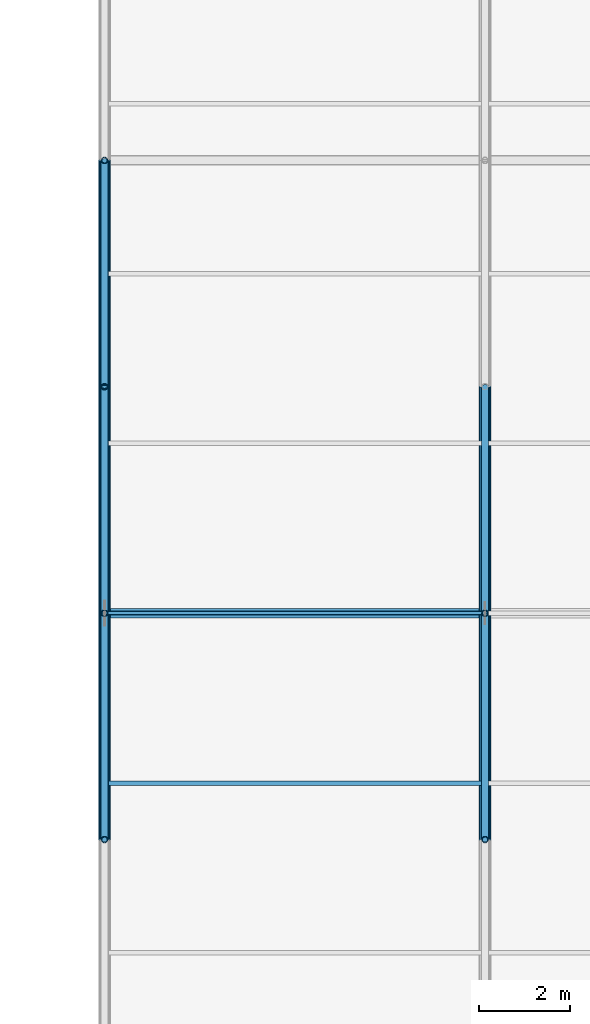
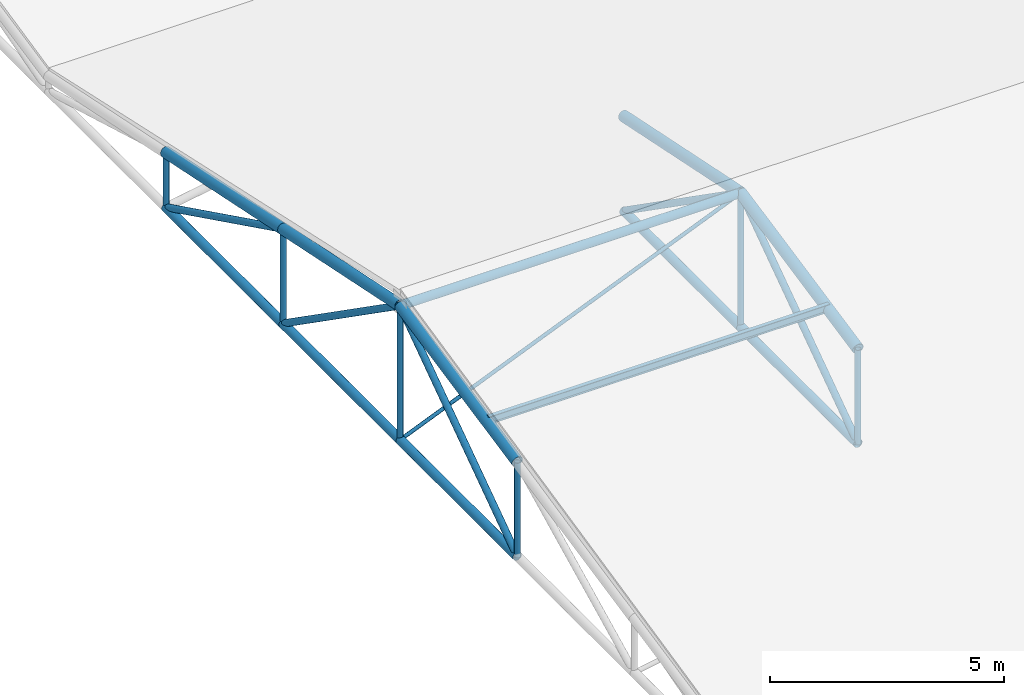
# One storey, part 6 of 194: 23 members, 1 beam.
"""IFC4 building model written with IfcOpenShell, lengths in metres."""

import ifcopenshell
import ifcopenshell.guid

model = None  # the IFC model being written
_history = None  # IfcOwnerHistory: only IFC2X3 demands one
_inside = {}  # id of a spatial element -> (the spatial element, [elements in it])
_under = {}  # id of a project, library or spatial element -> (it, [spatial elements below it])
_declared = {}  # id of a project -> (the project, [libraries it declares])
_typed = {}  # id of a type object -> (the type object, [elements of that type])
_made_of = {}  # id of a material, layer set ... -> (it, [elements and type objects made of it])


def new_model(schema):
    """Start an empty IFC model of exactly this schema.

    Asked for "IFC4X3", IfcOpenShell would pick the latest addendum, in which some entities
    have other attributes; the version numbers below select the first issue.
    IFC2X3 requires an IfcOwnerHistory on every rooted entity: one is made here for all.
    """
    global model, _history
    if schema == "IFC4X3":
        model = ifcopenshell.file(schema_version=(4, 3, 0, 0))
    else:
        model = ifcopenshell.file(schema=schema)
    _inside.clear()
    _under.clear()
    _declared.clear()
    _typed.clear()
    _made_of.clear()
    _history = None
    if model.schema == "IFC2X3":
        org = make("IfcOrganization", Name="unknown")
        user = make(
            "IfcPersonAndOrganization",
            ThePerson=make("IfcPerson", FamilyName="unknown"),
            TheOrganization=org,
        )
        app = make(
            "IfcApplication",
            ApplicationDeveloper=org,
            Version="unknown",
            ApplicationFullName="unknown",
            ApplicationIdentifier="unknown",
        )
        _history = make(
            "IfcOwnerHistory",
            OwningUser=user,
            OwningApplication=app,
            ChangeAction="ADDED",
            CreationDate=0,
        )
    return model


def make(cls, **values):
    """One entity of the class cls with the attributes given. An attribute that is None is left unset."""
    return model.create_entity(
        cls, **{name: value for name, value in values.items() if value is not None}
    )


def rooted(cls, **values):
    """An entity with a GlobalId (a new one), such as an element, a storey or a relation."""
    return make(cls, GlobalId=ifcopenshell.guid.new(), OwnerHistory=_history, **values)


def si_unit(unit_type, name, prefix=None):
    """IfcSIUnit, for example si_unit("LENGTHUNIT", "METRE", prefix="MILLI")."""
    return make("IfcSIUnit", UnitType=unit_type, Prefix=prefix, Name=name)


def assignment(units):
    """IfcUnitAssignment: the units of a project."""
    return None if units is None else make("IfcUnitAssignment", Units=units)


def point(xyz):
    """IfcCartesianPoint."""
    return None if xyz is None else make("IfcCartesianPoint", Coordinates=xyz)


def direction(xyz):
    """IfcDirection."""
    return None if xyz is None else make("IfcDirection", DirectionRatios=xyz)


def frame(location, z_axis=None, x_axis=None):
    """IfcAxis2Placement3D, a coordinate frame: its origin and axes. An axis left out is left unset."""
    return make(
        "IfcAxis2Placement3D",
        Location=point(location),
        Axis=direction(z_axis),
        RefDirection=direction(x_axis),
    )


def frame_2d(location, x_axis=None):
    """IfcAxis2Placement2D, a coordinate frame in the plane: its origin and x axis."""
    return make(
        "IfcAxis2Placement2D", Location=point(location), RefDirection=direction(x_axis)
    )


def origin():
    """The frame at (0, 0, 0) with its axes left unset."""
    return frame((0.0, 0.0, 0.0))


def origin_2d():
    """The frame at (0, 0) in the plane with its x axis left unset."""
    return frame_2d((0.0, 0.0))


def place(relative_to, where):
    """IfcLocalPlacement: puts the frame where relative to a parent placement (None: the world)."""
    return make(
        "IfcLocalPlacement", PlacementRelTo=relative_to, RelativePlacement=where
    )


def context(
    kind, dimensions, precision=None, world=None, true_north=None, identifier=None
):
    """IfcGeometricRepresentationContext, for example the 3D "Model" context."""
    return make(
        "IfcGeometricRepresentationContext",
        ContextIdentifier=identifier,
        ContextType=kind,
        CoordinateSpaceDimension=dimensions,
        Precision=precision,
        WorldCoordinateSystem=world,
        TrueNorth=true_north,
    )


def subcontext(parent, identifier, kind, view, scale=None):
    """IfcGeometricRepresentationSubContext, for example "Body" below "Model"."""
    return make(
        "IfcGeometricRepresentationSubContext",
        ContextIdentifier=identifier,
        ContextType=kind,
        ParentContext=parent,
        TargetScale=scale,
        TargetView=view,
    )


def project(units=None, contexts=None):
    """IfcProject with its units and contexts."""
    return rooted(
        "IfcProject",
        Name="project",
        RepresentationContexts=contexts,
        UnitsInContext=assignment(units),
    )


def spatial(cls, under=None, at=None, **own):
    """A site, building, storey or space (cls), placed at a placement, below another one or the project."""
    s = rooted(cls, ObjectPlacement=at, **own)
    if under is not None:
        _under.setdefault(under.id(), (under, []))[1].append(s)
    return s


def profile(cls, at=None, kind="AREA", **sizes):
    """A parametric profile (cls). Its sizes go by their IFC names, for example OverallWidth=200.0."""
    return make(cls, ProfileType=kind, Position=at, **sizes)


def hollow_circle(**sizes):
    """IfcCircleHollowProfileDef."""
    return profile("IfcCircleHollowProfileDef", **sizes)


def i_section(**sizes):
    """IfcIShapeProfileDef."""
    return profile("IfcIShapeProfileDef", **sizes)


def extrude(swept, where, along, depth):
    """IfcExtrudedAreaSolid: the profile swept, set in the frame where, extruded along a direction by depth."""
    return make(
        "IfcExtrudedAreaSolid",
        SweptArea=swept,
        Position=where,
        ExtrudedDirection=direction(along),
        Depth=depth,
    )


def shape(context_of_items, identifier, shape_type, items):
    """IfcShapeRepresentation: the items that make up one representation, for example the "Body"."""
    return make(
        "IfcShapeRepresentation",
        ContextOfItems=context_of_items,
        RepresentationIdentifier=identifier,
        RepresentationType=shape_type,
        Items=items,
    )


def material(Name=None, Category=None):
    """IfcMaterial."""
    return make("IfcMaterial", Name=Name, Category=Category)


def material_profile(
    of_material, cross_section, Name=None, Category=None, Priority=None
):
    """IfcMaterialProfile: a cross section and its material."""
    return make(
        "IfcMaterialProfile",
        Name=Name,
        Material=of_material,
        Profile=cross_section,
        Priority=Priority,
        Category=Category,
    )


def profile_set(profiles, Name=None, composite=None):
    """IfcMaterialProfileSet."""
    return make(
        "IfcMaterialProfileSet",
        Name=Name,
        MaterialProfiles=profiles,
        CompositeProfile=composite,
    )


def made_of(thing, what):
    """Note that an element or type object is made of a material, layer set ...; save() writes the relation."""
    if what is not None:
        _made_of.setdefault(what.id(), (what, []))[1].append(thing)
    return thing


def type_object(cls, material=None, **own):
    """A type object (cls), such as IfcWallType, which elements share."""
    return made_of(rooted(cls, **own), material)


def element(
    cls,
    number,
    at=None,
    inside=None,
    cuts=None,
    type_object=None,
    material=None,
    context=None,
    identifier="Body",
    shape_type=None,
    held_by="IfcProductDefinitionShape",
    body=None,
    shapes=None,
    **own,
):
    """One element of the class cls, such as IfcWall. Its Tag is "e" and its number.

    at: its placement. inside: the storey or other place that contains it. cuts: it is an
    opening in that element (IfcRelVoidsElement). A single representation is given by context,
    identifier, shape_type and body (its items); several are given by shapes. held_by: the class
    of the entity that holds the representations. save() writes the other relations.
    """
    e = rooted(cls, Tag="e%d" % number, ObjectPlacement=at, **own)
    if body is not None:
        shapes = [shape(context, identifier, shape_type, body)]
    if shapes is not None:
        e.Representation = make(held_by, Representations=shapes)
    if inside is not None:
        _inside.setdefault(inside.id(), (inside, []))[1].append(e)
    if cuts is not None:
        rooted(
            "IfcRelVoidsElement", RelatingBuildingElement=cuts, RelatedOpeningElement=e
        )
    if type_object is not None:
        _typed.setdefault(type_object.id(), (type_object, []))[1].append(e)
    return made_of(e, material)


def aggregate(whole, parts):
    """IfcRelAggregates: a whole, such as a stair, and the parts it consists of."""
    return rooted("IfcRelAggregates", RelatingObject=whole, RelatedObjects=parts)


def save(model, path):
    """Write the relations noted so far, then the file.

    IfcRelAggregates (storeys below a building ...), IfcRelContainedInSpatialStructure (elements
    in a storey), IfcRelDefinesByType, IfcRelAssociatesMaterial and IfcRelDeclares: one each for
    every whole, place, type object, material and project.
    """
    for whole, parts in _under.values():
        aggregate(whole, parts)
    for where, things in _inside.values():
        rooted(
            "IfcRelContainedInSpatialStructure",
            RelatedElements=things,
            RelatingStructure=where,
        )
    for kind, things in _typed.values():
        rooted("IfcRelDefinesByType", RelatedObjects=things, RelatingType=kind)
    for what, things in _made_of.values():
        rooted("IfcRelAssociatesMaterial", RelatedObjects=things, RelatingMaterial=what)
    for by, libraries in _declared.values():
        rooted("IfcRelDeclares", RelatingContext=by, RelatedDefinitions=libraries)
    model.write(path)


model = new_model("IFC4")

# Units and contexts
model_context = context("Model", 3, precision=1e-05, world=origin(), true_north=direction((0.0, 1.0)))
body_context = subcontext(model_context, "Body", "Model", "MODEL_VIEW")
ifc_project = project(units=[si_unit("LENGTHUNIT", "METRE"), si_unit("AREAUNIT", "SQUARE_METRE"), si_unit("VOLUMEUNIT", "CUBIC_METRE"), si_unit("PLANEANGLEUNIT", "RADIAN"), si_unit("MASSUNIT", "GRAM", prefix="KILO")], contexts=[model_context])

# Site, building, storey
site_placement = place(None, origin())
site = spatial("IfcSite", under=ifc_project, at=site_placement, CompositionType="ELEMENT")
building_placement = place(site_placement, origin())
building = spatial("IfcBuilding", under=site, at=building_placement, Name="Kazenagashi Tramway Depot", CompositionType="ELEMENT")
storey_placement = place(building_placement, frame((0.0, 0.0, 23.7)))
storey = spatial("IfcBuildingStorey", under=building, at=storey_placement, Name="ROOF", CompositionType="ELEMENT", Elevation=23.7)

# Beam
ifc_material_1 = material(Name="Steel SN400B", Category="steel")
ifc_material_profile_1 = material_profile(ifc_material_1, i_section(OverallWidth=0.1, OverallDepth=0.2, WebThickness=0.0055, FlangeThickness=0.008, at=origin_2d()), Name="H-200x100x5.5x8")
ifc_profile_set_1 = profile_set([ifc_material_profile_1], Name="Steel SN400B")
beam_type = type_object("IfcBeamType", Name="PR-01", PredefinedType="USERDEFINED", material=ifc_profile_set_1)
beam_placement = place(storey_placement, frame((44.8, 81.25, -11.305), z_axis=(1.0, 0.0, 0.0), x_axis=(0.0, 1.0, 0.0)))
element("IfcBeam", 1, at=beam_placement, inside=storey, type_object=beam_type, Name="Beam PR-01 BM-2054", ObjectType="PURLIN", PredefinedType="USERDEFINED", context=body_context, shape_type="SweptSolid", body=[
    extrude(i_section(OverallWidth=0.1, OverallDepth=0.2, WebThickness=0.0055, FlangeThickness=0.008, at=origin_2d()), origin(), (0.0, 0.0, 1.0), 8.4),
])

# Members
ifc_material_2 = material(Name="Steel STK490", Category="steel")
ifc_material_profile_2 = material_profile(ifc_material_2, hollow_circle(Radius=0.1337, WallThickness=0.0093, at=origin_2d()), Name="CHS-267.4x9.3")
ifc_profile_set_2 = profile_set([ifc_material_profile_2], Name="Steel STK490")
member_type_1 = type_object("IfcMemberType", Name="TC-01", PredefinedType="CHORD", material=ifc_profile_set_2)
for number, where, z_axis, x_axis, name in (
    (2, (44.8, 80.0, -11.633), (0.0, 0.979317999984, 0.202327098797), (-1.0, 0.0, 0.0), "Tubular Space Frame TC-01 MEM-0007"),
    (3, (44.8, 85.0, -10.6), (0.0, 0.979317999984, -0.202327098797), (-1.0, 0.0, 0.0), "Tubular Space Frame TC-01 MEM-0010"),
):
    element("IfcMember", number, at=place(storey_placement, frame(where, z_axis=z_axis, x_axis=x_axis)), inside=storey, type_object=member_type_1, Name=name, PredefinedType="CHORD", context=body_context, shape_type="SweptSolid", body=[
        extrude(hollow_circle(Radius=0.1337, WallThickness=0.0093, at=origin_2d()), origin(), (0.0, 0.0, 1.0), 5.105594),
    ])
member_1_placement = place(storey_placement, frame((44.8, 90.0, -11.633), z_axis=(0.0, 0.979279174591, -0.202514933305), x_axis=(-1.0, 0.0, 0.0)))
element("IfcMember", 4, at=member_1_placement, inside=storey, type_object=member_type_1, Name="Tubular Space Frame TC-01 MEM-0013", PredefinedType="CHORD", context=body_context, shape_type="SweptSolid", body=[
    extrude(hollow_circle(Radius=0.1337, WallThickness=0.0093, at=origin_2d()), origin(), (0.0, 0.0, 1.0), 5.105796),
])
for number, where, z_axis, x_axis, name in (
    (5, (53.2, 80.0, -11.633), (0.0, 0.979317999984, 0.202327098797), (-1.0, 0.0, 0.0), "Tubular Space Frame TC-01 MEM-0068"),
    (6, (53.2, 85.0, -10.6), (0.0, 0.979317999984, -0.202327098797), (-1.0, 0.0, 0.0), "Tubular Space Frame TC-01 MEM-0071"),
):
    element("IfcMember", number, at=place(storey_placement, frame(where, z_axis=z_axis, x_axis=x_axis)), inside=storey, type_object=member_type_1, Name=name, PredefinedType="CHORD", context=body_context, shape_type="SweptSolid", body=[
        extrude(hollow_circle(Radius=0.1337, WallThickness=0.0093, at=origin_2d()), origin(), (0.0, 0.0, 1.0), 5.105594),
    ])
ifc_material_profile_3 = material_profile(ifc_material_2, hollow_circle(Radius=0.10815, WallThickness=0.0082, at=origin_2d()), Name="CHS-216.3x8.2")
ifc_profile_set_3 = profile_set([ifc_material_profile_3], Name="Steel STK490")
member_type_2 = type_object("IfcMemberType", Name="TC-02", PredefinedType="CHORD", material=ifc_profile_set_3)
for number, where, z_axis, x_axis, name in (
    (7, (44.8, 80.0, -14.1), (0.0, 1.0, 0.0), (-1.0, 0.0, 0.0), "Tubular Space Frame TC-02 MEM-0008"),
    (8, (44.8, 85.0, -14.1), (0.0, 1.0, 0.0), (-1.0, 0.0, 0.0), "Tubular Space Frame TC-02 MEM-0011"),
    (9, (44.8, 90.0, -14.1), (0.0, 1.0, 0.0), (-1.0, 0.0, 0.0), "Tubular Space Frame TC-02 MEM-0014"),
):
    element("IfcMember", number, at=place(storey_placement, frame(where, z_axis=z_axis, x_axis=x_axis)), inside=storey, type_object=member_type_2, Name=name, PredefinedType="CHORD", context=body_context, shape_type="SweptSolid", body=[
        extrude(hollow_circle(Radius=0.10815, WallThickness=0.0082, at=origin_2d()), origin(), (0.0, 0.0, 1.0), 5.0),
    ])
member_2_placement = place(storey_placement, frame((44.8, 85.0, -10.6), z_axis=(1.0, 0.0, 0.0), x_axis=(0.0, 1.0, 0.0)))
element("IfcMember", 10, at=member_2_placement, inside=storey, type_object=member_type_2, Name="Tubular Space Frame TC-02 MEM-0028", PredefinedType="CHORD", context=body_context, shape_type="SweptSolid", body=[
    extrude(hollow_circle(Radius=0.10815, WallThickness=0.0082, at=origin_2d()), origin(), (0.0, 0.0, 1.0), 8.4),
])
for number, where, z_axis, x_axis, name in (
    (11, (53.2, 80.0, -14.1), (0.0, 1.0, 0.0), (-1.0, 0.0, 0.0), "Tubular Space Frame TC-02 MEM-0069"),
    (12, (53.2, 85.0, -14.1), (0.0, 1.0, 0.0), (-1.0, 0.0, 0.0), "Tubular Space Frame TC-02 MEM-0072"),
):
    element("IfcMember", number, at=place(storey_placement, frame(where, z_axis=z_axis, x_axis=x_axis)), inside=storey, type_object=member_type_2, Name=name, PredefinedType="CHORD", context=body_context, shape_type="SweptSolid", body=[
        extrude(hollow_circle(Radius=0.10815, WallThickness=0.0082, at=origin_2d()), origin(), (0.0, 0.0, 1.0), 5.0),
    ])
ifc_material_profile_4 = material_profile(ifc_material_2, hollow_circle(Radius=0.0826, WallThickness=0.0071, at=origin_2d()), Name="CHS-165.2x7.1")
ifc_profile_set_4 = profile_set([ifc_material_profile_4], Name="Steel STK490")
member_type_3 = type_object("IfcMemberType", Name="TS-01", PredefinedType="STRUT", material=ifc_profile_set_4)
for number, where, z_axis, x_axis, name in (
    (13, (44.8, 80.0, -14.1), (0.0, 0.819231920519, 0.573462344363), (-1.0, 0.0, 0.0), "Tubular Space Frame TS-01 MEM-0009"),
    (14, (44.8, 85.0, -10.6), (0.0, 0.819231920519, -0.573462344363), (-1.0, 0.0, 0.0), "Tubular Space Frame TS-01 MEM-0012"),
):
    element("IfcMember", number, at=place(storey_placement, frame(where, z_axis=z_axis, x_axis=x_axis)), inside=storey, type_object=member_type_3, Name=name, PredefinedType="STRUT", context=body_context, shape_type="SweptSolid", body=[
        extrude(hollow_circle(Radius=0.0826, WallThickness=0.0071, at=origin_2d()), origin(), (0.0, 0.0, 1.0), 6.103278),
    ])
member_3_placement = place(storey_placement, frame((44.8, 90.0, -11.633), z_axis=(0.0, 0.896782162482, -0.442472318969), x_axis=(-1.0, 0.0, 0.0)))
element("IfcMember", 15, at=member_3_placement, inside=storey, type_object=member_type_3, Name="Tubular Space Frame TS-01 MEM-0015", PredefinedType="STRUT", context=body_context, shape_type="SweptSolid", body=[
    extrude(hollow_circle(Radius=0.0826, WallThickness=0.0071, at=origin_2d()), origin(), (0.0, 0.0, 1.0), 5.57549),
])
for number, where, z_axis, x_axis, name in (
    (16, (53.2, 80.0, -14.1), (0.0, 0.819231920519, 0.573462344363), (-1.0, 0.0, 0.0), "Tubular Space Frame TS-01 MEM-0070"),
    (17, (53.2, 85.0, -10.6), (0.0, 0.819231920519, -0.573462344363), (-1.0, 0.0, 0.0), "Tubular Space Frame TS-01 MEM-0073"),
):
    element("IfcMember", number, at=place(storey_placement, frame(where, z_axis=z_axis, x_axis=x_axis)), inside=storey, type_object=member_type_3, Name=name, PredefinedType="STRUT", context=body_context, shape_type="SweptSolid", body=[
        extrude(hollow_circle(Radius=0.0826, WallThickness=0.0071, at=origin_2d()), origin(), (0.0, 0.0, 1.0), 6.103278),
    ])
ifc_material_profile_5 = material_profile(ifc_material_2, hollow_circle(Radius=0.0699, WallThickness=0.0066, at=origin_2d()), Name="CHS-139.8x6.6")
ifc_profile_set_5 = profile_set([ifc_material_profile_5], Name="Steel STK490")
member_type_4 = type_object("IfcMemberType", Name="TS-02", PredefinedType="STRUT", material=ifc_profile_set_5)
member_4_placement = place(storey_placement, frame((44.8, 80.0, -14.1), z_axis=(0.0, 0.0, 1.0), x_axis=(1.0, 0.0, 0.0)))
element("IfcMember", 18, at=member_4_placement, inside=storey, type_object=member_type_4, Name="Tubular Space Frame TS-02 MEM-0021", PredefinedType="STRUT", context=body_context, shape_type="SweptSolid", body=[
    extrude(hollow_circle(Radius=0.0699, WallThickness=0.0066, at=origin_2d()), origin(), (0.0, 0.0, 1.0), 2.467),
])
member_5_placement = place(storey_placement, frame((44.8, 85.0, -14.1), z_axis=(0.0, 0.0, 1.0), x_axis=(1.0, 0.0, 0.0)))
element("IfcMember", 19, at=member_5_placement, inside=storey, type_object=member_type_4, Name="Tubular Space Frame TS-02 MEM-0022", PredefinedType="STRUT", context=body_context, shape_type="SweptSolid", body=[
    extrude(hollow_circle(Radius=0.0699, WallThickness=0.0066, at=origin_2d()), origin(), (0.0, 0.0, 1.0), 3.5),
])
member_6_placement = place(storey_placement, frame((44.8, 90.0, -14.1), z_axis=(0.0, 0.0, 1.0), x_axis=(1.0, 0.0, 0.0)))
element("IfcMember", 20, at=member_6_placement, inside=storey, type_object=member_type_4, Name="Tubular Space Frame TS-02 MEM-0023", PredefinedType="STRUT", context=body_context, shape_type="SweptSolid", body=[
    extrude(hollow_circle(Radius=0.0699, WallThickness=0.0066, at=origin_2d()), origin(), (0.0, 0.0, 1.0), 2.467),
])
member_7_placement = place(storey_placement, frame((44.8, 95.0, -14.1), z_axis=(0.0, 0.0, 1.0), x_axis=(1.0, 0.0, 0.0)))
element("IfcMember", 21, at=member_7_placement, inside=storey, type_object=member_type_4, Name="Tubular Space Frame TS-02 MEM-0024", PredefinedType="STRUT", context=body_context, shape_type="SweptSolid", body=[
    extrude(hollow_circle(Radius=0.0699, WallThickness=0.0066, at=origin_2d()), origin(), (0.0, 0.0, 1.0), 1.433),
])
member_8_placement = place(storey_placement, frame((53.2, 80.0, -14.1), z_axis=(0.0, 0.0, 1.0), x_axis=(1.0, 0.0, 0.0)))
element("IfcMember", 22, at=member_8_placement, inside=storey, type_object=member_type_4, Name="Tubular Space Frame TS-02 MEM-0082", PredefinedType="STRUT", context=body_context, shape_type="SweptSolid", body=[
    extrude(hollow_circle(Radius=0.0699, WallThickness=0.0066, at=origin_2d()), origin(), (0.0, 0.0, 1.0), 2.467),
])
member_9_placement = place(storey_placement, frame((53.2, 85.0, -14.1), z_axis=(0.0, 0.0, 1.0), x_axis=(1.0, 0.0, 0.0)))
element("IfcMember", 23, at=member_9_placement, inside=storey, type_object=member_type_4, Name="Tubular Space Frame TS-02 MEM-0083", PredefinedType="STRUT", context=body_context, shape_type="SweptSolid", body=[
    extrude(hollow_circle(Radius=0.0699, WallThickness=0.0066, at=origin_2d()), origin(), (0.0, 0.0, 1.0), 3.5),
])
ifc_material_3 = material(Name="Steel STK400", Category="steel")
ifc_material_profile_6 = material_profile(ifc_material_3, hollow_circle(Radius=0.04455, WallThickness=0.0042, at=origin_2d()), Name="CHS-89.1x4.2")
ifc_profile_set_6 = profile_set([ifc_material_profile_6], Name="Steel STK400")
member_type_5 = type_object("IfcMemberType", Name="TS-04", PredefinedType="STRUT", material=ifc_profile_set_6)
member_10_placement = place(storey_placement, frame((44.8, 85.0, -14.1), z_axis=(0.923076923077, 0.0, 0.384615384615), x_axis=(0.0, 1.0, 0.0)))
element("IfcMember", 24, at=member_10_placement, inside=storey, type_object=member_type_5, Name="Tubular Space Frame TS-04 MEM-0029", PredefinedType="STRUT", context=body_context, shape_type="SweptSolid", body=[
    extrude(hollow_circle(Radius=0.04455, WallThickness=0.0042, at=origin_2d()), origin(), (0.0, 0.0, 1.0), 9.1),
])

save(model, "model.ifc")
